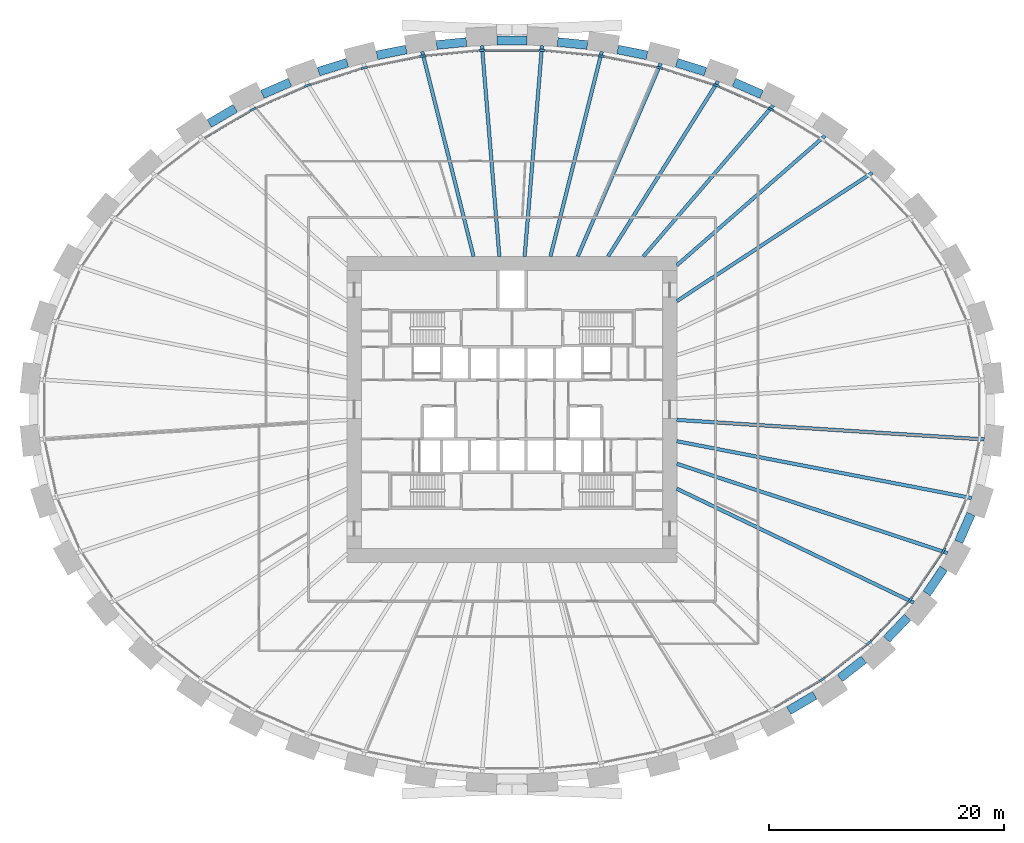
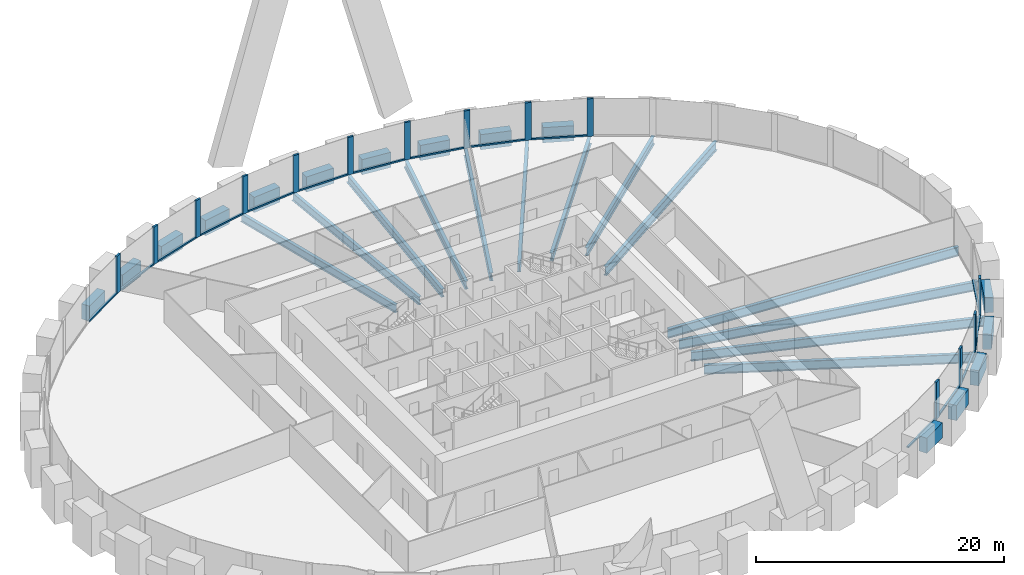
# One storey, part 3 of 10: 29 members, 28 beams, 1 element without a shape of its own.
"""IFC4 building model written with IfcOpenShell, lengths in metres."""

from ifc_helpers import new_model, si_unit, direction, frame, origin, origin_2d, place, context, subcontext, project, spatial, rectangle, i_section, extrude, source, transform, mapped, material, material_profile, profile_set, type_object, element, aggregate, save


model = new_model("IFC4")

# Units and contexts
model_context = context("Model", 3, precision=1e-05, world=origin(), true_north=direction((0.0, 1.0)))
body_context = subcontext(model_context, "Body", "Model", "MODEL_VIEW")
ifc_project = project(units=[si_unit("LENGTHUNIT", "METRE"), si_unit("AREAUNIT", "SQUARE_METRE"), si_unit("VOLUMEUNIT", "CUBIC_METRE"), si_unit("PLANEANGLEUNIT", "RADIAN"), si_unit("MASSUNIT", "GRAM", prefix="KILO")], contexts=[model_context])

# Site, building, storey
site_placement = place(None, origin())
site = spatial("IfcSite", under=ifc_project, at=site_placement, CompositionType="ELEMENT")
building_placement = place(site_placement, origin())
building = spatial("IfcBuilding", under=site, at=building_placement, Name="Embergate Tower", CompositionType="ELEMENT")
storey_placement = place(building_placement, frame((0.0, 0.0, 89.300048828125)))
storey = spatial("IfcBuildingStorey", under=building, at=storey_placement, Name="L18", CompositionType="ELEMENT", Elevation=89.300048828125)

# Beams
ifc_material_1 = material(Name="Concrete C70", Category="concrete")
ifc_material_profile_1 = material_profile(ifc_material_1, rectangle(XDim=0.75, YDim=1.5, at=origin_2d()), Name="RC 750x1500")
ifc_profile_set_1 = profile_set([ifc_material_profile_1], Name="Concrete C70")
beam_type_1 = type_object("IfcBeamType", Name="Spandrel beam RC 750x1500 C70", PredefinedType="BEAM", material=ifc_profile_set_1)
shared_shape_1 = source(origin(), body_context, "Body", "SweptSolid", [
    extrude(rectangle(XDim=0.75, YDim=1.5, at=origin_2d()), origin(), (0.0, 0.0, 1.0), 2.583251953125),
])
beam_1_placement = place(storey_placement, frame((37.9619140625, -11.2490234375, 0.0), z_axis=(0.401468201792, 0.915872962233, 0.0), x_axis=(-0.915872962233, 0.401468201792, 0.0)))
element("IfcBeam", 1, at=beam_1_placement, inside=storey, type_object=beam_type_1, Name="SPN-L18-41", PredefinedType="BEAM", context=body_context, shape_type="MappedRepresentation", body=[
    mapped(shared_shape_1, transform((0.0, 0.0, 0.0))),
])
shared_shape_2 = source(origin(), body_context, "Body", "SweptSolid", [
    extrude(rectangle(XDim=0.75, YDim=1.5, at=origin_2d()), origin(), (0.0, 0.0, 1.0), 2.574951171875),
])
beam_2_placement = place(storey_placement, frame((35.238037109375, -15.64306640625, 0.0), z_axis=(0.562356702599, 0.826894756932, 0.0), x_axis=(-0.826894756932, 0.562356702599, 0.0)))
element("IfcBeam", 2, at=beam_2_placement, inside=storey, type_object=beam_type_1, Name="SPN-L18-40", PredefinedType="BEAM", context=body_context, shape_type="MappedRepresentation", body=[
    mapped(shared_shape_2, transform((0.0, 0.0, 0.0))),
])
shared_shape_3 = source(origin(), body_context, "Body", "SweptSolid", [
    extrude(rectangle(XDim=0.75, YDim=1.5, at=origin_2d()), origin(), (0.0, 0.0, 1.0), 2.568115234375),
])
beam_3_placement = place(storey_placement, frame((31.83203125, -19.52392578125, 0.0), z_axis=(0.68998268655, 0.723825871506, 0.0), x_axis=(-0.723825871506, 0.68998268655, 0.0)))
element("IfcBeam", 3, at=beam_3_placement, inside=storey, type_object=beam_type_1, Name="SPN-L18-39", PredefinedType="BEAM", context=body_context, shape_type="MappedRepresentation", body=[
    mapped(shared_shape_3, transform((0.0, 0.0, 0.0))),
])
shared_shape_4 = source(origin(), body_context, "Body", "SweptSolid", [
    extrude(rectangle(XDim=0.75, YDim=1.5, at=origin_2d()), origin(), (0.0, 0.0, 1.0), 2.560791015625),
])
beam_4_placement = place(storey_placement, frame((27.8720703125, -22.8291015625, 0.0), z_axis=(0.788437573921, 0.615114779557, 0.0), x_axis=(-0.615114779557, 0.788437573921, 0.0)))
element("IfcBeam", 4, at=beam_4_placement, inside=storey, type_object=beam_type_1, Name="SPN-L18-38", PredefinedType="BEAM", context=body_context, shape_type="MappedRepresentation", body=[
    mapped(shared_shape_4, transform((0.0, 0.0, 0.0))),
])
shared_shape_5 = source(origin(), body_context, "Body", "SweptSolid", [
    extrude(rectangle(XDim=0.75, YDim=1.5, at=origin_2d()), origin(), (0.0, 0.0, 1.0), 2.55517578125),
])
for number, where, z_axis, x_axis, name in (
    (5, (-23.51904296875, 25.5859375, 0.0), (-0.862086455961, -0.506761228241, 0.0), (0.506761228241, -0.862086455961, 0.0), "SPN-L18-15"),
    (6, (23.51904296875, -25.5859375, 0.0), (0.862086455961, 0.506761228241, 0.0), (-0.506761228241, 0.862086455961, 0.0), "SPN-L18-37"),
):
    element("IfcBeam", number, at=place(storey_placement, frame(where, z_axis=z_axis, x_axis=x_axis)), inside=storey, type_object=beam_type_1, Name=name, PredefinedType="BEAM", context=body_context, shape_type="MappedRepresentation", body=[
        mapped(shared_shape_5, transform((0.0, 0.0, 0.0))),
    ])
shared_shape_6 = source(origin(), body_context, "Body", "SweptSolid", [
    extrude(rectangle(XDim=0.75, YDim=1.5, at=origin_2d()), origin(), (0.0, 0.0, 1.0), 2.552001953125),
])
for number, where, z_axis, x_axis, name in (
    (7, (21.202880859375, 26.76806640625, 0.0), (-0.916139768309, 0.400858983836, 0.0), (-0.400858983836, -0.916139768309, 0.0), "SPN-L18-06"),
    (8, (-18.864990234375, 27.791015625, 0.0), (-0.916139768309, -0.400858983836, 0.0), (0.400858983836, -0.916139768309, 0.0), "SPN-L18-14"),
):
    element("IfcBeam", number, at=place(storey_placement, frame(where, z_axis=z_axis, x_axis=x_axis)), inside=storey, type_object=beam_type_1, Name=name, PredefinedType="BEAM", context=body_context, shape_type="MappedRepresentation", body=[
        mapped(shared_shape_6, transform((0.0, 0.0, 0.0))),
    ])
shared_shape_7 = source(origin(), body_context, "Body", "SweptSolid", [
    extrude(rectangle(XDim=0.75, YDim=1.5, at=origin_2d()), origin(), (0.0, 0.0, 1.0), 2.55029296875),
])
for number, where, z_axis, x_axis, name in (
    (9, (16.428955078125, 28.699951171875, 0.0), (-0.954803055826, 0.297239170678, 0.0), (-0.297239170678, -0.954803055826, 0.0), "SPN-L18-07"),
    (10, (-13.993896484375, 29.4580078125, 0.0), (-0.954803055826, -0.297239170678, 0.0), (0.297239170678, -0.954803055826, 0.0), "SPN-L18-13"),
):
    element("IfcBeam", number, at=place(storey_placement, frame(where, z_axis=z_axis, x_axis=x_axis)), inside=storey, type_object=beam_type_1, Name=name, PredefinedType="BEAM", context=body_context, shape_type="MappedRepresentation", body=[
        mapped(shared_shape_7, transform((0.0, 0.0, 0.0))),
    ])
shared_shape_8 = source(origin(), body_context, "Body", "SweptSolid", [
    extrude(rectangle(XDim=0.75, YDim=1.5, at=origin_2d()), origin(), (0.0, 0.0, 1.0), 2.546875),
])
for number, where, z_axis, x_axis, name in (
    (11, (11.469970703125, 30.0810546875, 0.0), (-0.980462515934, 0.196706011214, 0.0), (-0.196706011214, -0.980462515934, 0.0), "SPN-L18-08"),
    (12, (-8.972900390625, 30.58203125, 0.0), (-0.980462515934, -0.196706011214, 0.0), (0.196706011214, -0.980462515934, 0.0), "SPN-L18-12"),
):
    element("IfcBeam", number, at=place(storey_placement, frame(where, z_axis=z_axis, x_axis=x_axis)), inside=storey, type_object=beam_type_1, Name=name, PredefinedType="BEAM", context=body_context, shape_type="MappedRepresentation", body=[
        mapped(shared_shape_8, transform((0.0, 0.0, 0.0))),
    ])
shared_shape_9 = source(origin(), body_context, "Body", "SweptSolid", [
    extrude(rectangle(XDim=0.75, YDim=1.5, at=origin_2d()), origin(), (0.0, 0.0, 1.0), 2.544189453125),
])
for number, where, z_axis, x_axis, name in (
    (13, (6.402099609375, 30.966064453125, 0.0), (-0.995198330328, 0.097878921698, 0.0), (-0.097878921698, -0.995198330328, 0.0), "SPN-L18-09"),
    (14, (-3.8701171875, 31.215087890625, 0.0), (-0.995198330328, -0.097878921698, 0.0), (0.097878921698, -0.995198330328, 0.0), "SPN-L18-11"),
):
    element("IfcBeam", number, at=place(storey_placement, frame(where, z_axis=z_axis, x_axis=x_axis)), inside=storey, type_object=beam_type_1, Name=name, PredefinedType="BEAM", context=body_context, shape_type="MappedRepresentation", body=[
        mapped(shared_shape_9, transform((0.0, 0.0, 0.0))),
    ])
shared_shape_10 = source(origin(), body_context, "Body", "SweptSolid", [
    extrude(rectangle(XDim=0.75, YDim=1.5, at=origin_2d()), origin(), (0.0, 0.0, 1.0), 2.5458984375),
])
beam_5_placement = place(storey_placement, frame((1.27294921875, 31.342041015625, 0.0), z_axis=(-1.0, 0.0, 0.0), x_axis=(0.0, -1.0, 0.0)))
element("IfcBeam", 15, at=beam_5_placement, inside=storey, type_object=beam_type_1, Name="SPN-L18-10", PredefinedType="BEAM", context=body_context, shape_type="MappedRepresentation", body=[
    mapped(shared_shape_10, transform((0.0, 0.0, 0.0))),
])
ifc_material_2 = material(Name="Steel Q355B", Category="steel")
ifc_material_profile_2 = material_profile(ifc_material_2, i_section(OverallWidth=0.300048828125, OverallDepth=0.89990234375, WebThickness=0.01611328125, FlangeThickness=0.028076171875, FilletRadius=0.028076171875, at=origin_2d()), Name="HN 900x300x16x28")
ifc_profile_set_2 = profile_set([ifc_material_profile_2], Name="Steel Q355 grade B")
beam_type_2 = type_object("IfcBeamType", Name="Radial girder HN 900x300x16x28", PredefinedType="BEAM", material=ifc_profile_set_2)
shared_shape_11 = source(origin(), body_context, "Body", "SweptSolid", [
    extrude(i_section(OverallWidth=0.300048828125, OverallDepth=0.89990234375, WebThickness=0.01611328125, FlangeThickness=0.028076171875, FilletRadius=0.028076171875, at=origin_2d()), origin(), (0.0, 0.0, 1.0), 26.17578125),
])
beam_6_placement = place(storey_placement, frame((40.123046875, -2.549072265625, -0.650146484375), z_axis=(-0.997989066798, 0.063386296243, 0.0), x_axis=(-0.063386296243, -0.997989066798, 0.0)))
element("IfcBeam", 16, at=beam_6_placement, inside=storey, type_object=beam_type_2, Name="GIR-L18-43", PredefinedType="BEAM", context=body_context, shape_type="MappedRepresentation", body=[
    mapped(shared_shape_11, transform((0.0, 0.0, 0.0))),
])
shared_shape_12 = source(origin(), body_context, "Body", "SweptSolid", [
    extrude(i_section(OverallWidth=0.300048828125, OverallDepth=0.89990234375, WebThickness=0.01611328125, FlangeThickness=0.028076171875, FilletRadius=0.028076171875, at=origin_2d()), origin(), (0.0, 0.0, 1.0), 25.5126953125),
])
beam_7_placement = place(storey_placement, frame((39.051025390625, -7.532958984375, -0.650146484375), z_axis=(-0.981900703084, 0.189396434187, 0.0), x_axis=(-0.189396434187, -0.981900703084, 0.0)))
element("IfcBeam", 17, at=beam_7_placement, inside=storey, type_object=beam_type_2, Name="GIR-L18-42", PredefinedType="BEAM", context=body_context, shape_type="MappedRepresentation", body=[
    mapped(shared_shape_12, transform((0.0, 0.0, 0.0))),
])
shared_shape_13 = source(origin(), body_context, "Body", "SweptSolid", [
    extrude(i_section(OverallWidth=0.300048828125, OverallDepth=0.89990234375, WebThickness=0.01611328125, FlangeThickness=0.028076171875, FilletRadius=0.028076171875, at=origin_2d()), origin(), (0.0, 0.0, 1.0), 24.221435546875),
])
beam_8_placement = place(storey_placement, frame((37.0029296875, -12.202880859375, -0.650146484375), z_axis=(-0.949690422, 0.313190201575, 0.0), x_axis=(-0.313190201575, -0.949690422, 0.0)))
element("IfcBeam", 18, at=beam_8_placement, inside=storey, type_object=beam_type_2, Name="GIR-L18-41", PredefinedType="BEAM", context=body_context, shape_type="MappedRepresentation", body=[
    mapped(shared_shape_13, transform((0.0, 0.0, 0.0))),
])
shared_shape_14 = source(origin(), body_context, "Body", "SweptSolid", [
    extrude(i_section(OverallWidth=0.300048828125, OverallDepth=0.89990234375, WebThickness=0.01611328125, FlangeThickness=0.028076171875, FilletRadius=0.028076171875, at=origin_2d()), origin(), (0.0, 0.0, 1.0), 22.343505859375),
])
beam_9_placement = place(storey_placement, frame((34.135009765625, -16.4208984375, -0.650146484375), z_axis=(-0.901156313857, 0.433494288308, 0.0), x_axis=(-0.433494288308, -0.901156313857, 0.0)))
element("IfcBeam", 19, at=beam_9_placement, inside=storey, type_object=beam_type_2, Name="GIR-L18-40", PredefinedType="BEAM", context=body_context, shape_type="MappedRepresentation", body=[
    mapped(shared_shape_14, transform((0.0, 0.0, 0.0))),
])
shared_shape_15 = source(origin(), body_context, "Body", "SweptSolid", [
    extrude(i_section(OverallWidth=0.300048828125, OverallDepth=0.89990234375, WebThickness=0.01611328125, FlangeThickness=0.028076171875, FilletRadius=0.028076171875, at=origin_2d()), origin(), (0.0, 0.0, 1.0), 19.8779296875),
])
beam_10_placement = place(storey_placement, frame((30.613037109375, 20.113037109375, -0.650146484375), z_axis=(-0.835753953274, -0.549104115434, 0.0), x_axis=(0.549104115434, -0.835753953274, 0.0)))
element("IfcBeam", 20, at=beam_10_placement, inside=storey, type_object=beam_type_2, Name="GIR-L18-04", PredefinedType="BEAM", context=body_context, shape_type="MappedRepresentation", body=[
    mapped(shared_shape_15, transform((0.0, 0.0, 0.0))),
])
ifc_material_profile_3 = material_profile(ifc_material_2, i_section(OverallWidth=0.300048828125, OverallDepth=0.800048828125, WebThickness=0.013916015625, FlangeThickness=0.02587890625, FilletRadius=0.028076171875, at=origin_2d()), Name="HN 800x300x14x26")
ifc_profile_set_3 = profile_set([ifc_material_profile_3], Name="Steel Q355 grade B")
beam_type_3 = type_object("IfcBeamType", Name="Radial girder HN 800x300x14x26", PredefinedType="BEAM", material=ifc_profile_set_3)
shared_shape_16 = source(origin(), body_context, "Body", "SweptSolid", [
    extrude(i_section(OverallWidth=0.300048828125, OverallDepth=0.800048828125, WebThickness=0.013916015625, FlangeThickness=0.02587890625, FilletRadius=0.028076171875, at=origin_2d()), origin(), (0.0, 0.0, 1.0), 16.72509765625),
])
beam_11_placement = place(storey_placement, frame((26.590087890625, 23.2529296875, -0.60009765625), z_axis=(-0.752763844536, -0.658290660999, 0.0), x_axis=(0.658290660999, -0.752763844536, 0.0)))
element("IfcBeam", 21, at=beam_11_placement, inside=storey, type_object=beam_type_3, Name="GIR-L18-05", PredefinedType="BEAM", context=body_context, shape_type="MappedRepresentation", body=[
    mapped(shared_shape_16, transform((0.0, 0.0, 0.0))),
])
shared_shape_17 = source(origin(), body_context, "Body", "SweptSolid", [
    extrude(i_section(OverallWidth=0.300048828125, OverallDepth=0.800048828125, WebThickness=0.013916015625, FlangeThickness=0.02587890625, FilletRadius=0.028076171875, at=origin_2d()), origin(), (0.0, 0.0, 1.0), 16.924560546875),
])
beam_12_placement = place(storey_placement, frame((22.18994140625, 25.840087890625, -0.60009765625), z_axis=(-0.651475377488, -0.758669778314, 0.0), x_axis=(0.758669778314, -0.651475377488, 0.0)))
element("IfcBeam", 22, at=beam_12_placement, inside=storey, type_object=beam_type_3, Name="GIR-L18-06", PredefinedType="BEAM", context=body_context, shape_type="MappedRepresentation", body=[
    mapped(shared_shape_17, transform((0.0, 0.0, 0.0))),
])
shared_shape_18 = source(origin(), body_context, "Body", "SweptSolid", [
    extrude(i_section(OverallWidth=0.300048828125, OverallDepth=0.800048828125, WebThickness=0.013916015625, FlangeThickness=0.02587890625, FilletRadius=0.028076171875, at=origin_2d()), origin(), (0.0, 0.0, 1.0), 17.578125),
])
beam_13_placement = place(storey_placement, frame((17.512939453125, 27.885986328125, -0.60009765625), z_axis=(-0.53184411478, -0.846842274319, 0.0), x_axis=(0.846842274319, -0.53184411478, 0.0)))
element("IfcBeam", 23, at=beam_13_placement, inside=storey, type_object=beam_type_3, Name="GIR-L18-07", PredefinedType="BEAM", context=body_context, shape_type="MappedRepresentation", body=[
    mapped(shared_shape_18, transform((0.0, 0.0, 0.0))),
])
shared_shape_19 = source(origin(), body_context, "Body", "SweptSolid", [
    extrude(i_section(OverallWidth=0.300048828125, OverallDepth=0.800048828125, WebThickness=0.013916015625, FlangeThickness=0.02587890625, FilletRadius=0.028076171875, at=origin_2d()), origin(), (0.0, 0.0, 1.0), 17.854248046875),
])
beam_14_placement = place(storey_placement, frame((12.638916015625, 29.403076171875, -0.60009765625), z_axis=(-0.394919154383, -0.918715876374, 0.0), x_axis=(0.918715876374, -0.394919154383, 0.0)))
element("IfcBeam", 24, at=beam_14_placement, inside=storey, type_object=beam_type_3, Name="GIR-L18-08", PredefinedType="BEAM", context=body_context, shape_type="MappedRepresentation", body=[
    mapped(shared_shape_19, transform((0.0, 0.0, 0.0))),
])
shared_shape_20 = source(origin(), body_context, "Body", "SweptSolid", [
    extrude(i_section(OverallWidth=0.300048828125, OverallDepth=0.800048828125, WebThickness=0.013916015625, FlangeThickness=0.02587890625, FilletRadius=0.028076171875, at=origin_2d()), origin(), (0.0, 0.0, 1.0), 17.947265625),
])
for number, where, z_axis, x_axis, name in (
    (25, (7.633056640625, 30.406982421875, -0.60009765625), (-0.243498938638, -0.969901163461, 0.0), (0.969901163461, -0.243498938638, 0.0), "GIR-L18-09"),
    (26, (-7.633056640625, 30.406982421875, -0.60009765625), (0.243498938638, -0.969901163461, 0.0), (0.969901163461, 0.243498938638, 0.0), "GIR-L18-12"),
):
    element("IfcBeam", number, at=place(storey_placement, frame(where, z_axis=z_axis, x_axis=x_axis)), inside=storey, type_object=beam_type_3, Name=name, PredefinedType="BEAM", context=body_context, shape_type="MappedRepresentation", body=[
        mapped(shared_shape_20, transform((0.0, 0.0, 0.0))),
    ])
shared_shape_21 = source(origin(), body_context, "Body", "SweptSolid", [
    extrude(i_section(OverallWidth=0.300048828125, OverallDepth=0.800048828125, WebThickness=0.013916015625, FlangeThickness=0.02587890625, FilletRadius=0.028076171875, at=origin_2d()), origin(), (0.0, 0.0, 1.0), 17.968017578125),
])
for number, where, z_axis, x_axis, name in (
    (27, (2.552978515625, 30.906982421875, -0.60009765625), (-0.082313416138, -0.996606492816, 0.0), (0.996606492816, -0.082313416138, 0.0), "GIR-L18-10"),
    (28, (-2.552978515625, 30.906982421875, -0.60009765625), (0.082313416138, -0.996606492816, 0.0), (0.996606492816, 0.082313416138, 0.0), "GIR-L18-11"),
):
    element("IfcBeam", number, at=place(storey_placement, frame(where, z_axis=z_axis, x_axis=x_axis)), inside=storey, type_object=beam_type_3, Name=name, PredefinedType="BEAM", context=body_context, shape_type="MappedRepresentation", body=[
        mapped(shared_shape_21, transform((0.0, 0.0, 0.0))),
    ])

# Curtain wall, members
ifc_material_3 = material(Name="Aluminium and glass", Category="aluminium")
curtain_wall_type = type_object("IfcCurtainWallType", Name="Recessed office glazing", PredefinedType="NOTDEFINED", material=ifc_material_3)
curtain_wall_placement = place(storey_placement, origin())
curtain_wall = element("IfcCurtainWall", 29, at=curtain_wall_placement, inside=storey, type_object=curtain_wall_type, Name="Recessed office glazing ring", ObjectType="RECESSED OFFICE GLAZING", PredefinedType="USERDEFINED")
ifc_material_4 = material(Name="Aluminium, thermally broken", Category="aluminium")
ifc_material_profile_4 = material_profile(ifc_material_4, rectangle(XDim=0.179931640625, YDim=0.52001953125, at=origin_2d()), Name="AL 520x180")
ifc_profile_set_4 = profile_set([ifc_material_profile_4], Name="Aluminium, thermally broken")
member_type_1 = type_object("IfcMemberType", Name="Office mullion", PredefinedType="MULLION", material=ifc_profile_set_4)
shared_shape_22 = source(origin(), body_context, "Body", "SweptSolid", [
    extrude(rectangle(XDim=0.179931640625, YDim=0.52001953125, at=origin_2d()), origin(), (0.0, 0.0, 1.0), 3.699951171875),
])
member_1_placement = place(storey_placement, frame((22.013427734375, 25.49267578125, 0.0), z_axis=(0.0, 0.0, 1.0), x_axis=(-0.454511380526, -0.890740930334, 0.0)))
member_1 = element("IfcMember", 30, at=member_1_placement, type_object=member_type_1, Name="CW mullion 7", PredefinedType="MULLION", context=body_context, shape_type="MappedRepresentation", body=[
    mapped(shared_shape_22, transform((0.0, 0.0, 0.0))),
])
member_2_placement = place(storey_placement, frame((17.377197265625, 27.519775390625, 0.0), z_axis=(0.0, 0.0, 1.0), x_axis=(-0.349502682851, -0.936935363128, 0.0)))
member_2 = element("IfcMember", 31, at=member_2_placement, type_object=member_type_1, Name="CW mullion 8", PredefinedType="MULLION", context=body_context, shape_type="MappedRepresentation", body=[
    mapped(shared_shape_22, transform((0.0, 0.0, 0.0))),
])
member_3_placement = place(storey_placement, frame((12.54296875, 29.025390625, 0.0), z_axis=(0.0, 0.0, 1.0), x_axis=(-0.24731188137, -0.968935928394, 0.0)))
member_3 = element("IfcMember", 32, at=member_3_placement, type_object=member_type_1, Name="CW mullion 9", PredefinedType="MULLION", context=body_context, shape_type="MappedRepresentation", body=[
    mapped(shared_shape_22, transform((0.0, 0.0, 0.0))),
])
member_4_placement = place(storey_placement, frame((7.576171875, 30.021484375, 0.0), z_axis=(0.0, 0.0, 1.0), x_axis=(-0.147412382818, -0.989075118174, 0.0)))
member_4 = element("IfcMember", 33, at=member_4_placement, type_object=member_type_1, Name="CW mullion 10", PredefinedType="MULLION", context=body_context, shape_type="MappedRepresentation", body=[
    mapped(shared_shape_22, transform((0.0, 0.0, 0.0))),
])
member_5_placement = place(storey_placement, frame((2.53369140625, 30.51708984375, 0.0), z_axis=(0.0, 0.0, 1.0), x_axis=(-0.048971796621, -0.998800161762, 0.0)))
member_5 = element("IfcMember", 34, at=member_5_placement, type_object=member_type_1, Name="CW mullion 11", PredefinedType="MULLION", context=body_context, shape_type="MappedRepresentation", body=[
    mapped(shared_shape_22, transform((0.0, 0.0, 0.0))),
])
member_6_placement = place(storey_placement, frame((-2.53369140625, 30.51708984375, 0.0), z_axis=(0.0, 0.0, 1.0), x_axis=(0.048971796621, -0.998800161762, 0.0)))
member_6 = element("IfcMember", 35, at=member_6_placement, type_object=member_type_1, Name="CW mullion 12", PredefinedType="MULLION", context=body_context, shape_type="MappedRepresentation", body=[
    mapped(shared_shape_22, transform((0.0, 0.0, 0.0))),
])
member_7_placement = place(storey_placement, frame((-7.576171875, 30.021484375, 0.0), z_axis=(0.0, 0.0, 1.0), x_axis=(0.147412382818, -0.989075118174, 0.0)))
member_7 = element("IfcMember", 36, at=member_7_placement, type_object=member_type_1, Name="CW mullion 13", PredefinedType="MULLION", context=body_context, shape_type="MappedRepresentation", body=[
    mapped(shared_shape_22, transform((0.0, 0.0, 0.0))),
])
member_8_placement = place(storey_placement, frame((-12.54296875, 29.025390625, 0.0), z_axis=(0.0, 0.0, 1.0), x_axis=(0.24731188137, -0.968935928394, 0.0)))
member_8 = element("IfcMember", 37, at=member_8_placement, type_object=member_type_1, Name="CW mullion 14", PredefinedType="MULLION", context=body_context, shape_type="MappedRepresentation", body=[
    mapped(shared_shape_22, transform((0.0, 0.0, 0.0))),
])
member_9_placement = place(storey_placement, frame((-17.377197265625, 27.519775390625, 0.0), z_axis=(0.0, 0.0, 1.0), x_axis=(0.349502682851, -0.936935363128, 0.0)))
member_9 = element("IfcMember", 38, at=member_9_placement, type_object=member_type_1, Name="CW mullion 15", PredefinedType="MULLION", context=body_context, shape_type="MappedRepresentation", body=[
    mapped(shared_shape_22, transform((0.0, 0.0, 0.0))),
])
member_10_placement = place(storey_placement, frame((-22.013427734375, 25.49267578125, 0.0), z_axis=(0.0, 0.0, 1.0), x_axis=(0.454511380526, -0.890740930334, 0.0)))
member_10 = element("IfcMember", 39, at=member_10_placement, type_object=member_type_1, Name="CW mullion 16", PredefinedType="MULLION", context=body_context, shape_type="MappedRepresentation", body=[
    mapped(shared_shape_22, transform((0.0, 0.0, 0.0))),
])
member_11_placement = place(storey_placement, frame((26.37158203125, -22.930419921875, 0.0), z_axis=(0.0, 0.0, 1.0), x_axis=(-0.562217618544, 0.826989328467, 0.0)))
member_11 = element("IfcMember", 40, at=member_11_placement, type_object=member_type_1, Name="CW mullion 39", PredefinedType="MULLION", context=body_context, shape_type="MappedRepresentation", body=[
    mapped(shared_shape_22, transform((0.0, 0.0, 0.0))),
])
member_12_placement = place(storey_placement, frame((30.352294921875, -19.823486328125, 0.0), z_axis=(0.0, 0.0, 1.0), x_axis=(-0.671229121411, 0.741249935292, 0.0)))
member_12 = element("IfcMember", 41, at=member_12_placement, type_object=member_type_1, Name="CW mullion 40", PredefinedType="MULLION", context=body_context, shape_type="MappedRepresentation", body=[
    mapped(shared_shape_22, transform((0.0, 0.0, 0.0))),
])
member_13_placement = place(storey_placement, frame((33.831787109375, -16.1748046875, 0.0), z_axis=(0.0, 0.0, 1.0), x_axis=(-0.777875854755, 0.628417977615, 0.0)))
member_13 = element("IfcMember", 42, at=member_13_placement, type_object=member_type_1, Name="CW mullion 41", PredefinedType="MULLION", context=body_context, shape_type="MappedRepresentation", body=[
    mapped(shared_shape_22, transform((0.0, 0.0, 0.0))),
])
member_14_placement = place(storey_placement, frame((36.662109375, -12.012939453125, 0.0), z_axis=(0.0, 0.0, 1.0), x_axis=(-0.875005275602, 0.484113383071, 0.0)))
member_14 = element("IfcMember", 43, at=member_14_placement, type_object=member_type_1, Name="CW mullion 42", PredefinedType="MULLION", context=body_context, shape_type="MappedRepresentation", body=[
    mapped(shared_shape_22, transform((0.0, 0.0, 0.0))),
])
ifc_material_profile_5 = material_profile(ifc_material_4, rectangle(XDim=0.179931640625, YDim=0.14990234375, at=origin_2d()), Name="AL 150x180")
ifc_profile_set_5 = profile_set([ifc_material_profile_5], Name="Aluminium, thermally broken")
member_type_2 = type_object("IfcMemberType", Name="Office sill transom", PredefinedType="USERDEFINED", material=ifc_profile_set_5)
shared_shape_23 = source(origin(), body_context, "Body", "SweptSolid", [
    extrude(rectangle(XDim=0.179931640625, YDim=0.14990234375, at=origin_2d()), origin(), (0.0, 0.0, 1.0), 4.529296875),
])
member_15_placement = place(storey_placement, frame((26.57666015625, -22.7705078125, 0.074951171875), z_axis=(0.788306218653, 0.615283110148, 0.0), x_axis=(-0.615283110148, 0.788306218653, 0.0)))
member_15 = element("IfcMember", 44, at=member_15_placement, type_object=member_type_2, Name="CW transom 39.1", ObjectType="TRANSOM", PredefinedType="USERDEFINED", context=body_context, shape_type="MappedRepresentation", body=[
    mapped(shared_shape_23, transform((0.0, 0.0, 0.0))),
])
shared_shape_24 = source(origin(), body_context, "Body", "SweptSolid", [
    extrude(rectangle(XDim=0.179931640625, YDim=0.14990234375, at=origin_2d()), origin(), (0.0, 0.0, 1.0), 4.504150390625),
])
member_16_placement = place(storey_placement, frame((36.7666015625, -11.77490234375, 0.074951171875), z_axis=(0.401657507377, 0.915789957778, 0.0), x_axis=(-0.915789957778, 0.401657507377, 0.0)))
member_16 = element("IfcMember", 45, at=member_16_placement, type_object=member_type_2, Name="CW transom 42.1", ObjectType="TRANSOM", PredefinedType="USERDEFINED", context=body_context, shape_type="MappedRepresentation", body=[
    mapped(shared_shape_24, transform((0.0, 0.0, 0.0))),
])
shared_shape_25 = source(origin(), body_context, "Body", "SweptSolid", [
    extrude(rectangle(XDim=0.179931640625, YDim=0.14990234375, at=origin_2d()), origin(), (0.0, 0.0, 1.0), 4.51318359375),
])
member_17_placement = place(storey_placement, frame((33.97802734375, -15.9599609375, 0.074951171875), z_axis=(0.562329256749, 0.82691342171, 0.0), x_axis=(-0.82691342171, 0.562329256749, 0.0)))
member_17 = element("IfcMember", 46, at=member_17_placement, type_object=member_type_2, Name="CW transom 41.1", ObjectType="TRANSOM", PredefinedType="USERDEFINED", context=body_context, shape_type="MappedRepresentation", body=[
    mapped(shared_shape_25, transform((0.0, 0.0, 0.0))),
])
shared_shape_26 = source(origin(), body_context, "Body", "SweptSolid", [
    extrude(rectangle(XDim=0.179931640625, YDim=0.14990234375, at=origin_2d()), origin(), (0.0, 0.0, 1.0), 4.52197265625),
])
member_18_placement = place(storey_placement, frame((30.531494140625, -19.635498046875, 0.074951171875), z_axis=(0.690144384651, 0.723671699277, 0.0), x_axis=(-0.723671699277, 0.690144384651, 0.0)))
member_18 = element("IfcMember", 47, at=member_18_placement, type_object=member_type_2, Name="CW transom 40.1", ObjectType="TRANSOM", PredefinedType="USERDEFINED", context=body_context, shape_type="MappedRepresentation", body=[
    mapped(shared_shape_26, transform((0.0, 0.0, 0.0))),
])
shared_shape_27 = source(origin(), body_context, "Body", "SweptSolid", [
    extrude(rectangle(XDim=0.179931640625, YDim=0.14990234375, at=origin_2d()), origin(), (0.0, 0.0, 1.0), 4.535400390625),
])
member_19_placement = place(storey_placement, frame((-22.23779296875, 25.36083984375, 0.074951171875), z_axis=(-0.862028298447, -0.506860151004, 0.0), x_axis=(0.506860151004, -0.862028298447, 0.0)))
member_19 = element("IfcMember", 48, at=member_19_placement, type_object=member_type_2, Name="CW transom 16.1", ObjectType="TRANSOM", PredefinedType="USERDEFINED", context=body_context, shape_type="MappedRepresentation", body=[
    mapped(shared_shape_27, transform((0.0, 0.0, 0.0))),
])
member_20_placement = place(storey_placement, frame((22.23779296875, -25.36083984375, 0.074951171875), z_axis=(0.862028298447, 0.506860151004, 0.0), x_axis=(-0.506860151004, 0.862028298447, 0.0)))
member_20 = element("IfcMember", 49, at=member_20_placement, type_object=member_type_2, Name="CW transom 38.1", ObjectType="TRANSOM", PredefinedType="USERDEFINED", context=body_context, shape_type="MappedRepresentation", body=[
    mapped(shared_shape_27, transform((0.0, 0.0, 0.0))),
])
shared_shape_28 = source(origin(), body_context, "Body", "SweptSolid", [
    extrude(rectangle(XDim=0.179931640625, YDim=0.14990234375, at=origin_2d()), origin(), (0.0, 0.0, 1.0), 4.540283203125),
])
member_21_placement = place(storey_placement, frame((21.775390625, 25.5966796875, 0.074951171875), z_axis=(-0.91622766565, 0.400658039601, 0.0), x_axis=(-0.400658039601, -0.91622766565, 0.0)))
member_21 = element("IfcMember", 50, at=member_21_placement, type_object=member_type_2, Name="CW transom 7.1", ObjectType="TRANSOM", PredefinedType="USERDEFINED", context=body_context, shape_type="MappedRepresentation", body=[
    mapped(shared_shape_28, transform((0.0, 0.0, 0.0))),
])
member_22_placement = place(storey_placement, frame((-17.615478515625, 27.415771484375, 0.074951171875), z_axis=(-0.91622766565, -0.400658039601, 0.0), x_axis=(0.400658039601, -0.91622766565, 0.0)))
member_22 = element("IfcMember", 51, at=member_22_placement, type_object=member_type_2, Name="CW transom 15.1", ObjectType="TRANSOM", PredefinedType="USERDEFINED", context=body_context, shape_type="MappedRepresentation", body=[
    mapped(shared_shape_28, transform((0.0, 0.0, 0.0))),
])
shared_shape_29 = source(origin(), body_context, "Body", "SweptSolid", [
    extrude(rectangle(XDim=0.179931640625, YDim=0.14990234375, at=origin_2d()), origin(), (0.0, 0.0, 1.0), 4.54345703125),
])
member_23_placement = place(storey_placement, frame((17.129150390625, 27.59716796875, 0.074951171875), z_axis=(-0.954777820435, 0.297320220648, 0.0), x_axis=(-0.297320220648, -0.954777820435, 0.0)))
member_23 = element("IfcMember", 52, at=member_23_placement, type_object=member_type_2, Name="CW transom 8.1", ObjectType="TRANSOM", PredefinedType="USERDEFINED", context=body_context, shape_type="MappedRepresentation", body=[
    mapped(shared_shape_29, transform((0.0, 0.0, 0.0))),
])
member_24_placement = place(storey_placement, frame((-12.791259765625, 28.947998046875, 0.074951171875), z_axis=(-0.954777820435, -0.297320220648, 0.0), x_axis=(0.297320220648, -0.954777820435, 0.0)))
member_24 = element("IfcMember", 53, at=member_24_placement, type_object=member_type_2, Name="CW transom 14.1", ObjectType="TRANSOM", PredefinedType="USERDEFINED", context=body_context, shape_type="MappedRepresentation", body=[
    mapped(shared_shape_29, transform((0.0, 0.0, 0.0))),
])
shared_shape_30 = source(origin(), body_context, "Body", "SweptSolid", [
    extrude(rectangle(XDim=0.179931640625, YDim=0.14990234375, at=origin_2d()), origin(), (0.0, 0.0, 1.0), 4.54541015625),
])
member_25_placement = place(storey_placement, frame((12.2880859375, 29.076416015625, 0.074951171875), z_axis=(-0.980477251105, 0.196632550879, 0.0), x_axis=(-0.196632550879, -0.980477251105, 0.0)))
member_25 = element("IfcMember", 54, at=member_25_placement, type_object=member_type_2, Name="CW transom 9.1", ObjectType="TRANSOM", PredefinedType="USERDEFINED", context=body_context, shape_type="MappedRepresentation", body=[
    mapped(shared_shape_30, transform((0.0, 0.0, 0.0))),
])
member_26_placement = place(storey_placement, frame((-7.831298828125, 29.97021484375, 0.074951171875), z_axis=(-0.980477251105, -0.196632550879, 0.0), x_axis=(0.196632550879, -0.980477251105, 0.0)))
member_26 = element("IfcMember", 55, at=member_26_placement, type_object=member_type_2, Name="CW transom 13.1", ObjectType="TRANSOM", PredefinedType="USERDEFINED", context=body_context, shape_type="MappedRepresentation", body=[
    mapped(shared_shape_30, transform((0.0, 0.0, 0.0))),
])
shared_shape_31 = source(origin(), body_context, "Body", "SweptSolid", [
    extrude(rectangle(XDim=0.179931640625, YDim=0.14990234375, at=origin_2d()), origin(), (0.0, 0.0, 1.0), 4.546630859375),
])
member_27_placement = place(storey_placement, frame((7.3173828125, 30.046875, 0.074951171875), z_axis=(-0.995202726131, 0.097834216414, 0.0), x_axis=(-0.097834216414, -0.995202726131, 0.0)))
member_27 = element("IfcMember", 56, at=member_27_placement, type_object=member_type_2, Name="CW transom 10.1", ObjectType="TRANSOM", PredefinedType="USERDEFINED", context=body_context, shape_type="MappedRepresentation", body=[
    mapped(shared_shape_31, transform((0.0, 0.0, 0.0))),
])
member_28_placement = place(storey_placement, frame((-2.79248046875, 30.49169921875, 0.074951171875), z_axis=(-0.995202726131, -0.097834216414, 0.0), x_axis=(0.097834216414, -0.995202726131, 0.0)))
member_28 = element("IfcMember", 57, at=member_28_placement, type_object=member_type_2, Name="CW transom 12.1", ObjectType="TRANSOM", PredefinedType="USERDEFINED", context=body_context, shape_type="MappedRepresentation", body=[
    mapped(shared_shape_31, transform((0.0, 0.0, 0.0))),
])
shared_shape_32 = source(origin(), body_context, "Body", "SweptSolid", [
    extrude(rectangle(XDim=0.179931640625, YDim=0.14990234375, at=origin_2d()), origin(), (0.0, 0.0, 1.0), 4.54736328125),
])
member_29_placement = place(storey_placement, frame((2.273681640625, 30.51708984375, 0.074951171875), z_axis=(-1.0, 0.0, 0.0), x_axis=(0.0, -1.0, 0.0)))
member_29 = element("IfcMember", 58, at=member_29_placement, type_object=member_type_2, Name="CW transom 11.1", ObjectType="TRANSOM", PredefinedType="USERDEFINED", context=body_context, shape_type="MappedRepresentation", body=[
    mapped(shared_shape_32, transform((0.0, 0.0, 0.0))),
])
aggregate(curtain_wall, [member_1, member_2, member_3, member_4, member_5, member_6, member_7, member_8, member_9, member_10, member_11, member_12, member_13, member_14, member_21, member_23, member_25, member_27, member_29, member_28, member_26, member_24, member_22, member_19, member_20, member_15, member_18, member_17, member_16])

save(model, "model.ifc")
